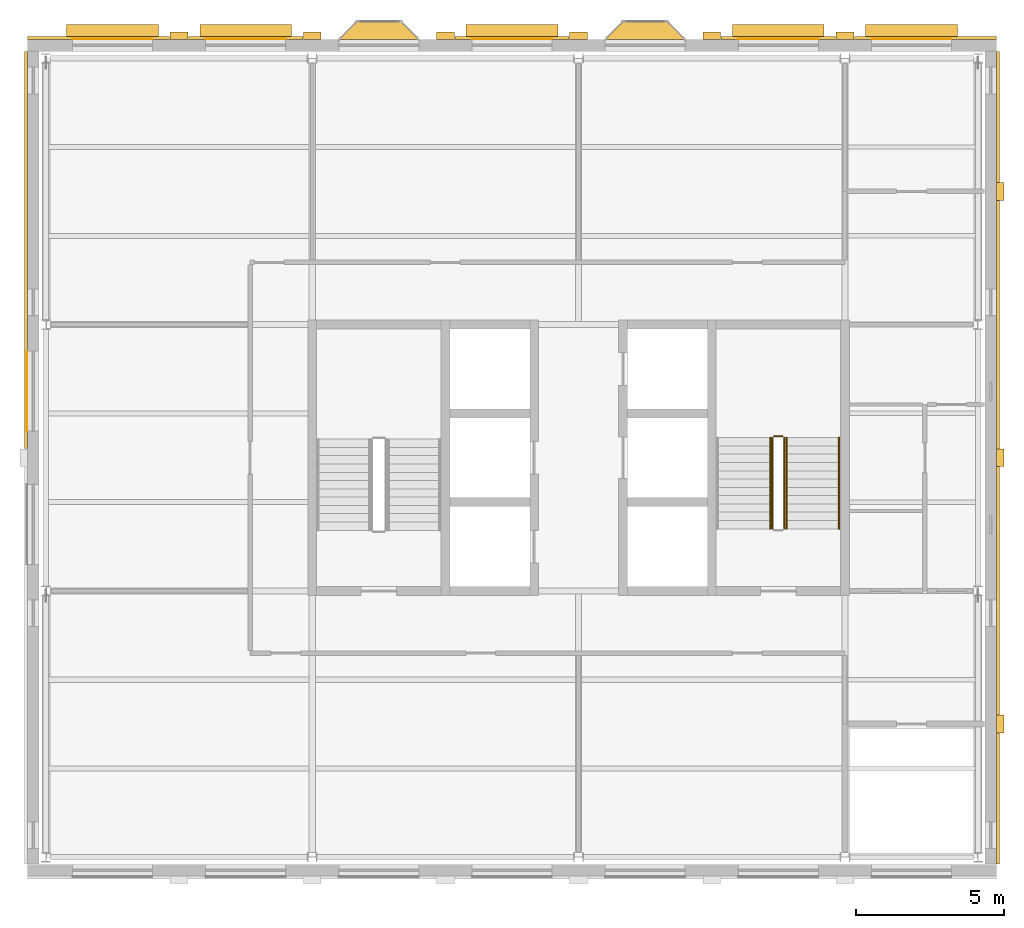
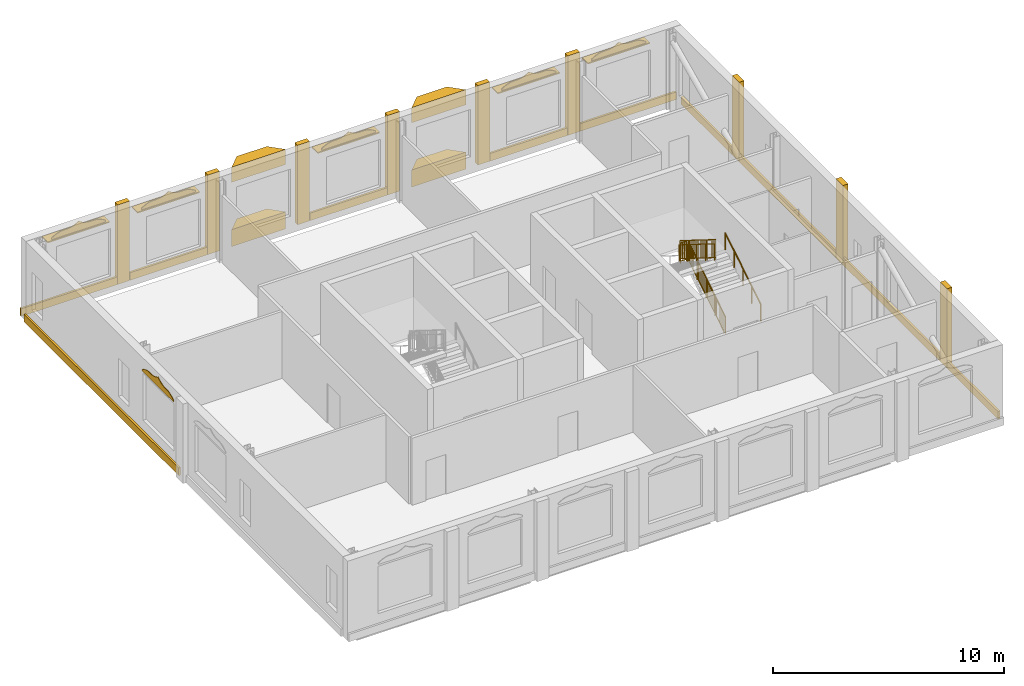
# One storey, part 9 of 9: 26 coverings, 6 railings, 5 shading devices.
"""IFC4 building model written with IfcOpenShell, lengths in metres."""

from ifc_helpers import new_model, si_unit, direction, frame, origin, origin_2d, place, context, subcontext, project, spatial, polyline, rectangle, circle, outline, extrude, material, layer, layer_set, type_object, element, save


model = new_model("IFC4")

# Units and contexts
model_context = context("Model", 3, precision=1e-05, world=origin(), true_north=direction((0.0, 1.0)))
body_context = subcontext(model_context, "Body", "Model", "MODEL_VIEW")
ifc_project = project(units=[si_unit("LENGTHUNIT", "METRE"), si_unit("AREAUNIT", "SQUARE_METRE"), si_unit("VOLUMEUNIT", "CUBIC_METRE"), si_unit("PLANEANGLEUNIT", "RADIAN"), si_unit("MASSUNIT", "GRAM", prefix="KILO")], contexts=[model_context])

# Site, building, storey
site_placement = place(None, origin())
site = spatial("IfcSite", under=ifc_project, at=site_placement, CompositionType="ELEMENT")
building_placement = place(site_placement, origin())
building = spatial("IfcBuilding", under=site, at=building_placement, Name="Hortulan Conservatory and Botanical Research Centre", CompositionType="ELEMENT")
storey_placement = place(building_placement, frame((0.0, 0.0, 48.60009765625)))
storey = spatial("IfcBuildingStorey", under=building, at=storey_placement, Name="L11", CompositionType="ELEMENT", Elevation=48.60009765625)

# Shading devices
ifc_material_1 = material(Name="Bronze-finished perforated aluminium", Category="aluminium")
ifc_layer_1 = layer(ifc_material_1, 0.06005859375)
ifc_layer_set_1 = layer_set([ifc_layer_1], Name="Catenary Hood 3100x500x60")
shading_device_type = type_object("IfcShadingDeviceType", Name="Catenary Hood 3100x500x60", PredefinedType="USERDEFINED", material=ifc_layer_set_1)
for number, where, z_axis, x_axis, name in (
    (1, (2.25, 27.885986328125, 3.409912109375), (0.0, 0.0, 1.0), (1.0, 0.0, 0.0), "Catenary hood"),
    (2, (6.75, 27.885986328125, 3.409912109375), (0.0, 0.0, 1.0), (1.0, 0.0, 0.0), "Catenary hood"),
    (3, (15.75, 27.885986328125, 3.409912109375), (0.0, 0.0, 1.0), (1.0, 0.0, 0.0), "Catenary hood"),
    (4, (24.75, 27.885986328125, 3.409912109375), (0.0, 0.0, 1.0), (1.0, 0.0, 0.0), "Catenary hood"),
    (5, (29.25, 27.885986328125, 3.409912109375), (0.0, 0.0, 1.0), (1.0, 0.0, 0.0), "Catenary hood"),
):
    element("IfcShadingDevice", number, at=place(storey_placement, frame(where, z_axis=z_axis, x_axis=x_axis)), inside=storey, type_object=shading_device_type, Name=name, ObjectType="Catenary hood", PredefinedType="USERDEFINED", context=body_context, shape_type="SweptSolid", body=[
        extrude(rectangle(XDim=3.10009765625, YDim=0.5, at=origin_2d()), origin(), (0.0, 0.0, 1.0), 0.06005859375),
    ])

# Coverings
ifc_material_2 = material(Name="Faience cladding, cream glaze (non-combustible)", Category="ceramic")
ifc_layer_2 = layer(ifc_material_2, 0.030029296875)
ifc_layer_set_2 = layer_set([ifc_layer_2], Name="Faience Ogee Head Panel Cream 2700x500")
covering_type_1 = type_object("IfcCoveringType", Name="Faience Ogee Head Panel Cream 2700x500", PredefinedType="CLADDING", material=ifc_layer_set_2)
covering_1_placement = place(storey_placement, frame((5.39990234375, 27.65087890625, 3.52001953125), z_axis=(0.0, 0.0, 1.0), x_axis=(1.0, 0.0, 0.0)))
element("IfcCovering", 6, at=covering_1_placement, inside=storey, type_object=covering_type_1, Name="Ogee head panel", PredefinedType="CLADDING", context=body_context, shape_type="SweptSolid", body=[
    extrude(outline(polyline([(0.0, 0.0), (2.699951171875, 0.0), (2.699951171875, 0.079833984375), (2.58740234375, 0.1484375), (2.47509765625, 0.2080078125), (2.362548828125, 0.252197265625), (2.25, 0.278076171875), (2.137451171875, 0.28857421875), (2.02490234375, 0.289794921875), (1.91259765625, 0.291259765625), (1.800048828125, 0.3017578125), (1.6875, 0.32763671875), (1.574951171875, 0.37158203125), (1.46240234375, 0.431396484375), (1.35009765625, 0.5), (1.237548828125, 0.431396484375), (1.125, 0.37158203125), (1.012451171875, 0.32763671875), (0.89990234375, 0.3017578125), (0.78759765625, 0.291259765625), (0.675048828125, 0.289794921875), (0.5625, 0.28857421875), (0.449951171875, 0.278076171875), (0.33740234375, 0.252197265625), (0.22509765625, 0.2080078125), (0.112548828125, 0.1484375), (0.0, 0.079833984375), (0.0, 0.0)])), frame((0.0, 0.01513671875, 0.0), z_axis=(0.0, -1.0, 0.0), x_axis=(1.0, 0.0, 0.0)), (0.0, 0.0, 1.0), 0.030029296875),
])
ifc_material_3 = material(Name="Faience cladding, waratah crimson glaze (non-combustible)", Category="ceramic")
ifc_layer_3 = layer(ifc_material_3, 0.030029296875)
ifc_layer_set_3 = layer_set([ifc_layer_3], Name="Faience Ogee Head Panel Crimson 2700x500")
covering_type_2 = type_object("IfcCoveringType", Name="Faience Ogee Head Panel Crimson 2700x500", PredefinedType="CLADDING", material=ifc_layer_set_3)
for number, where, z_axis, x_axis, name in (
    (7, (-0.639892578125, 14.39990234375, 3.52001953125), (0.0, 0.0, 1.0), (0.0, 1.0, 0.0), "Ogee head panel"),
    (8, (14.39990234375, 27.65087890625, 3.52001953125), (0.0, 0.0, 1.0), (1.0, 0.0, 0.0), "Ogee head panel"),
):
    element("IfcCovering", number, at=place(storey_placement, frame(where, z_axis=z_axis, x_axis=x_axis)), inside=storey, type_object=covering_type_2, Name=name, PredefinedType="CLADDING", context=body_context, shape_type="SweptSolid", body=[
        extrude(outline(polyline([(0.0, 0.0), (2.699951171875, 0.0), (2.699951171875, 0.079833984375), (2.58740234375, 0.1484375), (2.47509765625, 0.2080078125), (2.362548828125, 0.252197265625), (2.25, 0.278076171875), (2.137451171875, 0.28857421875), (2.02490234375, 0.289794921875), (1.91259765625, 0.291259765625), (1.800048828125, 0.3017578125), (1.6875, 0.32763671875), (1.574951171875, 0.37158203125), (1.46240234375, 0.431396484375), (1.35009765625, 0.5), (1.237548828125, 0.431396484375), (1.125, 0.37158203125), (1.012451171875, 0.32763671875), (0.89990234375, 0.3017578125), (0.78759765625, 0.291259765625), (0.675048828125, 0.289794921875), (0.5625, 0.28857421875), (0.449951171875, 0.278076171875), (0.33740234375, 0.252197265625), (0.22509765625, 0.2080078125), (0.112548828125, 0.1484375), (0.0, 0.079833984375), (0.0, 0.0)])), frame((0.0, 0.01513671875, 0.0), z_axis=(0.0, -1.0, 0.0), x_axis=(1.0, 0.0, 0.0)), (0.0, 0.0, 1.0), 0.030029296875),
    ])
ifc_material_4 = material(Name="Faience cladding, harbour teal glaze (non-combustible)", Category="ceramic")
ifc_layer_4 = layer(ifc_material_4, 0.030029296875)
ifc_layer_set_4 = layer_set([ifc_layer_4], Name="Faience Ogee Head Panel Teal 2700x500")
covering_type_3 = type_object("IfcCoveringType", Name="Faience Ogee Head Panel Teal 2700x500", PredefinedType="CLADDING", material=ifc_layer_set_4)
for number, where, z_axis, x_axis, name in (
    (9, (0.89990234375, 27.65087890625, 3.52001953125), (0.0, 0.0, 1.0), (1.0, 0.0, 0.0), "Ogee head panel"),
    (10, (23.39990234375, 27.65087890625, 3.52001953125), (0.0, 0.0, 1.0), (1.0, 0.0, 0.0), "Ogee head panel"),
    (11, (27.89990234375, 27.65087890625, 3.52001953125), (0.0, 0.0, 1.0), (1.0, 0.0, 0.0), "Ogee head panel"),
):
    element("IfcCovering", number, at=place(storey_placement, frame(where, z_axis=z_axis, x_axis=x_axis)), inside=storey, type_object=covering_type_3, Name=name, PredefinedType="CLADDING", context=body_context, shape_type="SweptSolid", body=[
        extrude(outline(polyline([(0.0, 0.0), (2.699951171875, 0.0), (2.699951171875, 0.079833984375), (2.58740234375, 0.1484375), (2.47509765625, 0.2080078125), (2.362548828125, 0.252197265625), (2.25, 0.278076171875), (2.137451171875, 0.28857421875), (2.02490234375, 0.289794921875), (1.91259765625, 0.291259765625), (1.800048828125, 0.3017578125), (1.6875, 0.32763671875), (1.574951171875, 0.37158203125), (1.46240234375, 0.431396484375), (1.35009765625, 0.5), (1.237548828125, 0.431396484375), (1.125, 0.37158203125), (1.012451171875, 0.32763671875), (0.89990234375, 0.3017578125), (0.78759765625, 0.291259765625), (0.675048828125, 0.289794921875), (0.5625, 0.28857421875), (0.449951171875, 0.278076171875), (0.33740234375, 0.252197265625), (0.22509765625, 0.2080078125), (0.112548828125, 0.1484375), (0.0, 0.079833984375), (0.0, 0.0)])), frame((0.0, 0.01513671875, 0.0), z_axis=(0.0, -1.0, 0.0), x_axis=(1.0, 0.0, 0.0)), (0.0, 0.0, 1.0), 0.030029296875),
    ])
ifc_material_5 = material(Name="Faience-faced brickwork masonry", Category="masonry")
covering_type_4 = type_object("IfcCoveringType", Name="Faience Oriel Base", PredefinedType="CLADDING", material=ifc_material_5)
covering_2_placement = place(storey_placement, origin())
element("IfcCovering", 12, at=covering_2_placement, inside=storey, type_object=covering_type_4, Name="Oriel base", PredefinedType="CLADDING", context=body_context, shape_type="SweptSolid", body=[
    extrude(outline(polyline([(9.89990234375, 27.635986328125), (10.5, 28.236083984375), (12.0, 28.236083984375), (12.60009765625, 27.635986328125), (9.89990234375, 27.635986328125)])), origin(), (0.0, 0.0, 1.0), 0.89990234375),
])
covering_3_placement = place(storey_placement, origin())
element("IfcCovering", 13, at=covering_3_placement, inside=storey, type_object=covering_type_4, Name="Oriel base", PredefinedType="CLADDING", context=body_context, shape_type="SweptSolid", body=[
    extrude(outline(polyline([(18.89990234375, 27.635986328125), (19.5, 28.236083984375), (21.0, 28.236083984375), (21.60009765625, 27.635986328125), (18.89990234375, 27.635986328125)])), origin(), (0.0, 0.0, 1.0), 0.89990234375),
])
covering_type_5 = type_object("IfcCoveringType", Name="Faience Oriel Frieze", PredefinedType="CLADDING", material=ifc_material_5)
covering_4_placement = place(storey_placement, frame((0.0, 0.0, 3.39990234375)))
element("IfcCovering", 14, at=covering_4_placement, inside=storey, type_object=covering_type_5, Name="Oriel frieze", PredefinedType="CLADDING", context=body_context, shape_type="SweptSolid", body=[
    extrude(outline(polyline([(9.89990234375, 27.635986328125), (10.5, 28.236083984375), (12.0, 28.236083984375), (12.60009765625, 27.635986328125), (9.89990234375, 27.635986328125)])), origin(), (0.0, 0.0, 1.0), 0.800048828125),
])
covering_5_placement = place(storey_placement, frame((0.0, 0.0, 3.39990234375)))
element("IfcCovering", 15, at=covering_5_placement, inside=storey, type_object=covering_type_5, Name="Oriel frieze", PredefinedType="CLADDING", context=body_context, shape_type="SweptSolid", body=[
    extrude(outline(polyline([(18.89990234375, 27.635986328125), (19.5, 28.236083984375), (21.0, 28.236083984375), (21.60009765625, 27.635986328125), (18.89990234375, 27.635986328125)])), origin(), (0.0, 0.0, 1.0), 0.800048828125),
])
ifc_layer_5 = layer(ifc_material_2, 0.25)
ifc_layer_set_5 = layer_set([ifc_layer_5], Name="Faience Pilaster 600x250")
covering_type_6 = type_object("IfcCoveringType", Name="Faience Pilaster 600x250", PredefinedType="CLADDING", material=ifc_layer_set_5)
for number, where, z_axis, x_axis, name in (
    (16, (4.5, 27.760986328125, 0.0), (0.0, 0.0, 1.0), (1.0, 0.0, 0.0), "Pier"),
    (17, (9.0, 27.760986328125, 0.0), (0.0, 0.0, 1.0), (1.0, 0.0, 0.0), "Pier"),
    (18, (13.5, 27.760986328125, 0.0), (0.0, 0.0, 1.0), (1.0, 0.0, 0.0), "Pier"),
    (19, (18.0, 27.760986328125, 0.0), (0.0, 0.0, 1.0), (1.0, 0.0, 0.0), "Pier"),
    (20, (22.5, 27.760986328125, 0.0), (0.0, 0.0, 1.0), (1.0, 0.0, 0.0), "Pier"),
    (21, (27.0, 27.760986328125, 0.0), (0.0, 0.0, 1.0), (1.0, 0.0, 0.0), "Pier"),
    (22, (32.25, 4.5, 0.0), (0.0, 0.0, 1.0), (0.0, 1.0, 0.0), "Pier"),
    (23, (32.25, 13.5, 0.0), (0.0, 0.0, 1.0), (0.0, 1.0, 0.0), "Pier"),
    (24, (32.25, 22.5, 0.0), (0.0, 0.0, 1.0), (0.0, 1.0, 0.0), "Pier"),
):
    element("IfcCovering", number, at=place(storey_placement, frame(where, z_axis=z_axis, x_axis=x_axis)), inside=storey, type_object=covering_type_6, Name=name, PredefinedType="CLADDING", context=body_context, shape_type="SweptSolid", body=[
        extrude(rectangle(XDim=0.60009765625, YDim=0.25, at=origin_2d()), origin(), (0.0, 0.0, 1.0), 4.199951171875),
    ])
ifc_layer_6 = layer(ifc_material_4, 0.10009765625)
ifc_layer_set_6 = layer_set([ifc_layer_6], Name="Faience String Course 400x100 Teal")
covering_type_7 = type_object("IfcCoveringType", Name="Faience String Course 400x100 Teal", PredefinedType="CLADDING", material=ifc_layer_set_6)
covering_6_placement = place(storey_placement, frame((-0.675048828125, 20.5224609375, 0.0), z_axis=(0.0, 0.0, 1.0), x_axis=(0.0, 1.0, 0.0)))
element("IfcCovering", 25, at=covering_6_placement, inside=storey, type_object=covering_type_7, Name="String course", PredefinedType="CLADDING", context=body_context, shape_type="SweptSolid", body=[
    extrude(rectangle(XDim=13.405029296875, YDim=0.10009765625, at=origin_2d()), origin(), (0.0, 0.0, 1.0), 0.39990234375),
])
covering_7_placement = place(storey_placement, frame((1.777587890625, 27.68603515625, 0.0), z_axis=(0.0, 0.0, 1.0), x_axis=(1.0, 0.0, 0.0)))
element("IfcCovering", 26, at=covering_7_placement, inside=storey, type_object=covering_type_7, Name="String course", PredefinedType="CLADDING", context=body_context, shape_type="SweptSolid", body=[
    extrude(rectangle(XDim=4.804931640625, YDim=0.10009765625, at=origin_2d()), origin(), (0.0, 0.0, 1.0), 0.39990234375),
])
for number, where, z_axis, x_axis, name in (
    (27, (6.75, 27.68603515625, 0.0), (0.0, 0.0, 1.0), (1.0, 0.0, 0.0), "String course"),
    (28, (15.75, 27.68603515625, 0.0), (0.0, 0.0, 1.0), (1.0, 0.0, 0.0), "String course"),
    (29, (24.75, 27.68603515625, 0.0), (0.0, 0.0, 1.0), (1.0, 0.0, 0.0), "String course"),
):
    element("IfcCovering", number, at=place(storey_placement, frame(where, z_axis=z_axis, x_axis=x_axis)), inside=storey, type_object=covering_type_7, Name=name, PredefinedType="CLADDING", context=body_context, shape_type="SweptSolid", body=[
        extrude(rectangle(XDim=3.860107421875, YDim=0.10009765625, at=origin_2d()), origin(), (0.0, 0.0, 1.0), 0.39990234375),
    ])
covering_8_placement = place(storey_placement, frame((29.722412109375, 27.68603515625, 0.0), z_axis=(0.0, 0.0, 1.0), x_axis=(1.0, 0.0, 0.0)))
element("IfcCovering", 30, at=covering_8_placement, inside=storey, type_object=covering_type_7, Name="String course", PredefinedType="CLADDING", context=body_context, shape_type="SweptSolid", body=[
    extrude(rectangle(XDim=4.804931640625, YDim=0.10009765625, at=origin_2d()), origin(), (0.0, 0.0, 1.0), 0.39990234375),
])
covering_9_placement = place(storey_placement, frame((32.175048828125, 13.5, 0.0), z_axis=(0.0, 0.0, 1.0), x_axis=(0.0, -1.0, 0.0)))
element("IfcCovering", 31, at=covering_9_placement, inside=storey, type_object=covering_type_7, Name="String course", PredefinedType="CLADDING", context=body_context, shape_type="SweptSolid", body=[
    extrude(rectangle(XDim=27.449951171875, YDim=0.10009765625, at=origin_2d()), origin(), (0.0, 0.0, 1.0), 0.39990234375),
])

# Railings
ifc_material_6 = material(Name="Steel balustrade, bronze-charcoal paint", Category="steel")
railing_type_1 = type_object("IfcRailingType", Name="Stair Guard 1100", PredefinedType="GUARDRAIL", material=ifc_material_6)
railing_1_placement = place(storey_placement, frame((24.949951171875, 11.10009765625, 0.1748046875)))
element("IfcRailing", 32, at=railing_1_placement, inside=storey, type_object=railing_type_1, Name="Guard T2 L11 stair 1", PredefinedType="GUARDRAIL", context=body_context, shape_type="SweptSolid", body=[
    extrude(circle(Radius=0.02392578125, at=origin_2d()), frame((0.0, 0.0, 1.076171875), z_axis=(0.0, 0.847979421464, 0.530029150871), x_axis=(-1.0, 0.0, 0.0)), (0.0, 0.0, 1.0), 3.632080078125),
    extrude(circle(Radius=0.02392578125, at=origin_2d()), frame((0.0, 0.0, 0.1240234375), z_axis=(0.0, 0.847979421464, 0.530029150871), x_axis=(-1.0, 0.0, 0.0)), (0.0, 0.0, 1.0), 3.632080078125),
    extrude(circle(Radius=0.008056640625, at=origin_2d()), frame((0.0, 0.090576171875, 0.204833984375)), (0.0, 0.0, 1.0), 0.90380859375),
    extrude(circle(Radius=0.008056640625, at=origin_2d()), frame((0.0, 0.18115234375, 0.261474609375)), (0.0, 0.0, 1.0), 0.90380859375),
    extrude(circle(Radius=0.008056640625, at=origin_2d()), frame((0.0, 0.271728515625, 0.318115234375)), (0.0, 0.0, 1.0), 0.90380859375),
    extrude(circle(Radius=0.008056640625, at=origin_2d()), frame((0.0, 0.3623046875, 0.374755859375)), (0.0, 0.0, 1.0), 0.90380859375),
    extrude(circle(Radius=0.008056640625, at=origin_2d()), frame((0.0, 0.452880859375, 0.431396484375)), (0.0, 0.0, 1.0), 0.90380859375),
    extrude(circle(Radius=0.008056640625, at=origin_2d()), frame((0.0, 0.54345703125, 0.48779296875)), (0.0, 0.0, 1.0), 0.90380859375),
    extrude(circle(Radius=0.008056640625, at=origin_2d()), frame((0.0, 0.634033203125, 0.54443359375)), (0.0, 0.0, 1.0), 0.90380859375),
    extrude(circle(Radius=0.008056640625, at=origin_2d()), frame((0.0, 0.724609375, 0.60107421875)), (0.0, 0.0, 1.0), 0.90380859375),
    extrude(circle(Radius=0.008056640625, at=origin_2d()), frame((0.0, 0.815185546875, 0.65771484375)), (0.0, 0.0, 1.0), 0.90380859375),
    extrude(circle(Radius=0.008056640625, at=origin_2d()), frame((0.0, 0.90576171875, 0.71435546875)), (0.0, 0.0, 1.0), 0.90380859375),
    extrude(circle(Radius=0.008056640625, at=origin_2d()), frame((0.0, 0.996337890625, 0.77099609375)), (0.0, 0.0, 1.0), 0.90380859375),
    extrude(circle(Radius=0.008056640625, at=origin_2d()), frame((0.0, 1.0869140625, 0.82763671875)), (0.0, 0.0, 1.0), 0.90380859375),
    extrude(circle(Radius=0.008056640625, at=origin_2d()), frame((0.0, 1.177490234375, 0.88427734375)), (0.0, 0.0, 1.0), 0.90380859375),
    extrude(circle(Radius=0.008056640625, at=origin_2d()), frame((0.0, 1.26806640625, 0.94091796875)), (0.0, 0.0, 1.0), 0.90380859375),
    extrude(circle(Radius=0.008056640625, at=origin_2d()), frame((0.0, 1.358642578125, 0.99755859375)), (0.0, 0.0, 1.0), 0.90380859375),
    extrude(circle(Radius=0.008056640625, at=origin_2d()), frame((0.0, 1.44921875, 1.05419921875)), (0.0, 0.0, 1.0), 0.90380859375),
    extrude(circle(Radius=0.008056640625, at=origin_2d()), frame((0.0, 1.5400390625, 1.11083984375)), (0.0, 0.0, 1.0), 0.90380859375),
    extrude(circle(Radius=0.008056640625, at=origin_2d()), frame((0.0, 1.630615234375, 1.167236328125)), (0.0, 0.0, 1.0), 0.90380859375),
    extrude(circle(Radius=0.008056640625, at=origin_2d()), frame((0.0, 1.72119140625, 1.223876953125)), (0.0, 0.0, 1.0), 0.90380859375),
    extrude(circle(Radius=0.008056640625, at=origin_2d()), frame((0.0, 1.811767578125, 1.280517578125)), (0.0, 0.0, 1.0), 0.90380859375),
    extrude(circle(Radius=0.008056640625, at=origin_2d()), frame((0.0, 1.90234375, 1.337158203125)), (0.0, 0.0, 1.0), 0.90380859375),
    extrude(circle(Radius=0.008056640625, at=origin_2d()), frame((0.0, 1.992919921875, 1.393798828125)), (0.0, 0.0, 1.0), 0.90380859375),
    extrude(circle(Radius=0.008056640625, at=origin_2d()), frame((0.0, 2.08349609375, 1.450439453125)), (0.0, 0.0, 1.0), 0.90380859375),
    extrude(circle(Radius=0.008056640625, at=origin_2d()), frame((0.0, 2.174072265625, 1.507080078125)), (0.0, 0.0, 1.0), 0.90380859375),
    extrude(circle(Radius=0.008056640625, at=origin_2d()), frame((0.0, 2.2646484375, 1.563720703125)), (0.0, 0.0, 1.0), 0.90380859375),
    extrude(circle(Radius=0.008056640625, at=origin_2d()), frame((0.0, 2.355224609375, 1.620361328125)), (0.0, 0.0, 1.0), 0.90380859375),
    extrude(circle(Radius=0.008056640625, at=origin_2d()), frame((0.0, 2.44580078125, 1.677001953125)), (0.0, 0.0, 1.0), 0.90380859375),
    extrude(circle(Radius=0.008056640625, at=origin_2d()), frame((0.0, 2.536376953125, 1.733642578125)), (0.0, 0.0, 1.0), 0.90380859375),
    extrude(circle(Radius=0.008056640625, at=origin_2d()), frame((0.0, 2.626953125, 1.7900390625)), (0.0, 0.0, 1.0), 0.90380859375),
    extrude(circle(Radius=0.008056640625, at=origin_2d()), frame((0.0, 2.717529296875, 1.8466796875)), (0.0, 0.0, 1.0), 0.90380859375),
    extrude(circle(Radius=0.008056640625, at=origin_2d()), frame((0.0, 2.80810546875, 1.9033203125)), (0.0, 0.0, 1.0), 0.90380859375),
    extrude(circle(Radius=0.008056640625, at=origin_2d()), frame((0.0, 2.898681640625, 1.9599609375)), (0.0, 0.0, 1.0), 0.90380859375),
    extrude(circle(Radius=0.008056640625, at=origin_2d()), frame((0.0, 2.9892578125, 2.0166015625)), (0.0, 0.0, 1.0), 0.90380859375),
    extrude(circle(Radius=0.02099609375, at=origin_2d()), origin(), (0.0, 0.0, 1.0), 1.052001953125),
    extrude(circle(Radius=0.02099609375, at=origin_2d()), frame((0.0, 0.77001953125, 0.481201171875)), (0.0, 0.0, 1.0), 1.052001953125),
    extrude(circle(Radius=0.02099609375, at=origin_2d()), frame((0.0, 1.5400390625, 0.96240234375)), (0.0, 0.0, 1.0), 1.052001953125),
    extrude(circle(Radius=0.02099609375, at=origin_2d()), frame((0.0, 2.309814453125, 1.44384765625)), (0.0, 0.0, 1.0), 1.052001953125),
    extrude(circle(Radius=0.02099609375, at=origin_2d()), frame((0.0, 3.079833984375, 1.925048828125)), (0.0, 0.0, 1.0), 1.052001953125),
])
railing_2_placement = place(storey_placement, frame((24.89990234375, 14.22998046875, 2.099853515625)))
element("IfcRailing", 33, at=railing_2_placement, inside=storey, type_object=railing_type_1, Name="Guard T2 L11 stair 2", PredefinedType="GUARDRAIL", context=body_context, shape_type="SweptSolid", body=[
    extrude(circle(Radius=0.02392578125, at=origin_2d()), frame((0.0, 0.0, 1.076171875), z_axis=(-1.0, 0.0, 0.0), x_axis=(0.0, -1.0, 0.0)), (0.0, 0.0, 1.0), 0.2998046875),
    extrude(circle(Radius=0.02392578125, at=origin_2d()), frame((0.0, 0.0, 0.1240234375), z_axis=(-1.0, 0.0, 0.0), x_axis=(0.0, -1.0, 0.0)), (0.0, 0.0, 1.0), 0.2998046875),
    extrude(circle(Radius=0.008056640625, at=origin_2d()), frame((-0.099853515625, 0.0, 0.148193359375)), (0.0, 0.0, 1.0), 0.90380859375),
    extrude(circle(Radius=0.008056640625, at=origin_2d()), frame((-0.199951171875, 0.0, 0.148193359375)), (0.0, 0.0, 1.0), 0.90380859375),
    extrude(circle(Radius=0.02099609375, at=origin_2d()), origin(), (0.0, 0.0, 1.0), 1.052001953125),
    extrude(circle(Radius=0.02099609375, at=origin_2d()), frame((-0.2998046875, 0.0, 0.0)), (0.0, 0.0, 1.0), 1.052001953125),
])
railing_3_placement = place(storey_placement, frame((24.550048828125, 14.179931640625, 2.27490234375)))
element("IfcRailing", 34, at=railing_3_placement, inside=storey, type_object=railing_type_1, Name="Guard T2 L11 stair 3", PredefinedType="GUARDRAIL", context=body_context, shape_type="SweptSolid", body=[
    extrude(circle(Radius=0.02392578125, at=origin_2d()), frame((0.0, 0.0, 1.076171875), z_axis=(0.0, -0.847979421464, 0.530029150871), x_axis=(1.0, 0.0, 0.0)), (0.0, 0.0, 1.0), 3.632080078125),
    extrude(circle(Radius=0.02392578125, at=origin_2d()), frame((0.0, 0.0, 0.1240234375), z_axis=(0.0, -0.847979421464, 0.530029150871), x_axis=(1.0, 0.0, 0.0)), (0.0, 0.0, 1.0), 3.632080078125),
    extrude(circle(Radius=0.008056640625, at=origin_2d()), frame((0.0, -0.090576171875, 0.204833984375)), (0.0, 0.0, 1.0), 0.90380859375),
    extrude(circle(Radius=0.008056640625, at=origin_2d()), frame((0.0, -0.18115234375, 0.261474609375)), (0.0, 0.0, 1.0), 0.90380859375),
    extrude(circle(Radius=0.008056640625, at=origin_2d()), frame((0.0, -0.271728515625, 0.318115234375)), (0.0, 0.0, 1.0), 0.90380859375),
    extrude(circle(Radius=0.008056640625, at=origin_2d()), frame((0.0, -0.3623046875, 0.374755859375)), (0.0, 0.0, 1.0), 0.90380859375),
    extrude(circle(Radius=0.008056640625, at=origin_2d()), frame((0.0, -0.452880859375, 0.431396484375)), (0.0, 0.0, 1.0), 0.90380859375),
    extrude(circle(Radius=0.008056640625, at=origin_2d()), frame((0.0, -0.54345703125, 0.48779296875)), (0.0, 0.0, 1.0), 0.90380859375),
    extrude(circle(Radius=0.008056640625, at=origin_2d()), frame((0.0, -0.634033203125, 0.54443359375)), (0.0, 0.0, 1.0), 0.90380859375),
    extrude(circle(Radius=0.008056640625, at=origin_2d()), frame((0.0, -0.724609375, 0.60107421875)), (0.0, 0.0, 1.0), 0.90380859375),
    extrude(circle(Radius=0.008056640625, at=origin_2d()), frame((0.0, -0.815185546875, 0.65771484375)), (0.0, 0.0, 1.0), 0.90380859375),
    extrude(circle(Radius=0.008056640625, at=origin_2d()), frame((0.0, -0.90576171875, 0.71435546875)), (0.0, 0.0, 1.0), 0.90380859375),
    extrude(circle(Radius=0.008056640625, at=origin_2d()), frame((0.0, -0.996337890625, 0.77099609375)), (0.0, 0.0, 1.0), 0.90380859375),
    extrude(circle(Radius=0.008056640625, at=origin_2d()), frame((0.0, -1.0869140625, 0.82763671875)), (0.0, 0.0, 1.0), 0.90380859375),
    extrude(circle(Radius=0.008056640625, at=origin_2d()), frame((0.0, -1.177490234375, 0.88427734375)), (0.0, 0.0, 1.0), 0.90380859375),
    extrude(circle(Radius=0.008056640625, at=origin_2d()), frame((0.0, -1.26806640625, 0.94091796875)), (0.0, 0.0, 1.0), 0.90380859375),
    extrude(circle(Radius=0.008056640625, at=origin_2d()), frame((0.0, -1.358642578125, 0.99755859375)), (0.0, 0.0, 1.0), 0.90380859375),
    extrude(circle(Radius=0.008056640625, at=origin_2d()), frame((0.0, -1.44921875, 1.05419921875)), (0.0, 0.0, 1.0), 0.90380859375),
    extrude(circle(Radius=0.008056640625, at=origin_2d()), frame((0.0, -1.5400390625, 1.11083984375)), (0.0, 0.0, 1.0), 0.90380859375),
    extrude(circle(Radius=0.008056640625, at=origin_2d()), frame((0.0, -1.630615234375, 1.167236328125)), (0.0, 0.0, 1.0), 0.90380859375),
    extrude(circle(Radius=0.008056640625, at=origin_2d()), frame((0.0, -1.72119140625, 1.223876953125)), (0.0, 0.0, 1.0), 0.90380859375),
    extrude(circle(Radius=0.008056640625, at=origin_2d()), frame((0.0, -1.811767578125, 1.280517578125)), (0.0, 0.0, 1.0), 0.90380859375),
    extrude(circle(Radius=0.008056640625, at=origin_2d()), frame((0.0, -1.90234375, 1.337158203125)), (0.0, 0.0, 1.0), 0.90380859375),
    extrude(circle(Radius=0.008056640625, at=origin_2d()), frame((0.0, -1.992919921875, 1.393798828125)), (0.0, 0.0, 1.0), 0.90380859375),
    extrude(circle(Radius=0.008056640625, at=origin_2d()), frame((0.0, -2.08349609375, 1.450439453125)), (0.0, 0.0, 1.0), 0.90380859375),
    extrude(circle(Radius=0.008056640625, at=origin_2d()), frame((0.0, -2.174072265625, 1.507080078125)), (0.0, 0.0, 1.0), 0.90380859375),
    extrude(circle(Radius=0.008056640625, at=origin_2d()), frame((0.0, -2.2646484375, 1.563720703125)), (0.0, 0.0, 1.0), 0.90380859375),
    extrude(circle(Radius=0.008056640625, at=origin_2d()), frame((0.0, -2.355224609375, 1.620361328125)), (0.0, 0.0, 1.0), 0.90380859375),
    extrude(circle(Radius=0.008056640625, at=origin_2d()), frame((0.0, -2.44580078125, 1.677001953125)), (0.0, 0.0, 1.0), 0.90380859375),
    extrude(circle(Radius=0.008056640625, at=origin_2d()), frame((0.0, -2.536376953125, 1.733642578125)), (0.0, 0.0, 1.0), 0.90380859375),
    extrude(circle(Radius=0.008056640625, at=origin_2d()), frame((0.0, -2.626953125, 1.7900390625)), (0.0, 0.0, 1.0), 0.90380859375),
    extrude(circle(Radius=0.008056640625, at=origin_2d()), frame((0.0, -2.717529296875, 1.8466796875)), (0.0, 0.0, 1.0), 0.90380859375),
    extrude(circle(Radius=0.008056640625, at=origin_2d()), frame((0.0, -2.80810546875, 1.9033203125)), (0.0, 0.0, 1.0), 0.90380859375),
    extrude(circle(Radius=0.008056640625, at=origin_2d()), frame((0.0, -2.898681640625, 1.9599609375)), (0.0, 0.0, 1.0), 0.90380859375),
    extrude(circle(Radius=0.008056640625, at=origin_2d()), frame((0.0, -2.9892578125, 2.0166015625)), (0.0, 0.0, 1.0), 0.90380859375),
    extrude(circle(Radius=0.02099609375, at=origin_2d()), origin(), (0.0, 0.0, 1.0), 1.052001953125),
    extrude(circle(Radius=0.02099609375, at=origin_2d()), frame((0.0, -0.77001953125, 0.481201171875)), (0.0, 0.0, 1.0), 1.052001953125),
    extrude(circle(Radius=0.02099609375, at=origin_2d()), frame((0.0, -1.5400390625, 0.96240234375)), (0.0, 0.0, 1.0), 1.052001953125),
    extrude(circle(Radius=0.02099609375, at=origin_2d()), frame((0.0, -2.309814453125, 1.44384765625)), (0.0, 0.0, 1.0), 1.052001953125),
    extrude(circle(Radius=0.02099609375, at=origin_2d()), frame((0.0, -3.079833984375, 1.925048828125)), (0.0, 0.0, 1.0), 1.052001953125),
])
ifc_material_7 = material(Name="Bronze handrail, polished", Category="metal")
railing_type_2 = type_object("IfcRailingType", Name="Stair Handrail 900", PredefinedType="HANDRAIL", material=ifc_material_7)
for number, where, name in (
    (35, (26.800048828125, 11.10009765625, 0.1748046875), "Handrail T2 L11 stair 1"),
    (36, (25.02001953125, 11.10009765625, 0.1748046875), "Handrail T2 L11 stair 3"),
):
    element("IfcRailing", number, at=place(storey_placement, frame(where)), inside=storey, type_object=railing_type_2, Name=name, PredefinedType="HANDRAIL", context=body_context, shape_type="SweptSolid", body=[
        extrude(circle(Radius=0.02392578125, at=origin_2d()), frame((0.0, 0.0, 0.8759765625), z_axis=(0.0, 0.847979421464, 0.530029150871), x_axis=(-1.0, 0.0, 0.0)), (0.0, 0.0, 1.0), 3.632080078125),
        extrude(circle(Radius=0.02099609375, at=origin_2d()), origin(), (0.0, 0.0, 1.0), 0.851806640625),
        extrude(circle(Radius=0.02099609375, at=origin_2d()), frame((0.0, 0.77001953125, 0.481201171875)), (0.0, 0.0, 1.0), 0.851806640625),
        extrude(circle(Radius=0.02099609375, at=origin_2d()), frame((0.0, 1.5400390625, 0.96240234375)), (0.0, 0.0, 1.0), 0.851806640625),
        extrude(circle(Radius=0.02099609375, at=origin_2d()), frame((0.0, 2.309814453125, 1.44384765625)), (0.0, 0.0, 1.0), 0.851806640625),
        extrude(circle(Radius=0.02099609375, at=origin_2d()), frame((0.0, 3.079833984375, 1.925048828125)), (0.0, 0.0, 1.0), 0.851806640625),
    ])
railing_4_placement = place(storey_placement, frame((24.47998046875, 14.179931640625, 2.27490234375)))
element("IfcRailing", 37, at=railing_4_placement, inside=storey, type_object=railing_type_2, Name="Handrail T2 L11 stair 4", PredefinedType="HANDRAIL", context=body_context, shape_type="SweptSolid", body=[
    extrude(circle(Radius=0.02392578125, at=origin_2d()), frame((0.0, 0.0, 0.8759765625), z_axis=(0.0, -0.847979421464, 0.530029150871), x_axis=(1.0, 0.0, 0.0)), (0.0, 0.0, 1.0), 3.632080078125),
    extrude(circle(Radius=0.02099609375, at=origin_2d()), origin(), (0.0, 0.0, 1.0), 0.851806640625),
    extrude(circle(Radius=0.02099609375, at=origin_2d()), frame((0.0, -0.77001953125, 0.481201171875)), (0.0, 0.0, 1.0), 0.851806640625),
    extrude(circle(Radius=0.02099609375, at=origin_2d()), frame((0.0, -1.5400390625, 0.96240234375)), (0.0, 0.0, 1.0), 0.851806640625),
    extrude(circle(Radius=0.02099609375, at=origin_2d()), frame((0.0, -2.309814453125, 1.44384765625)), (0.0, 0.0, 1.0), 0.851806640625),
    extrude(circle(Radius=0.02099609375, at=origin_2d()), frame((0.0, -3.079833984375, 1.925048828125)), (0.0, 0.0, 1.0), 0.851806640625),
])

save(model, "model.ifc")
